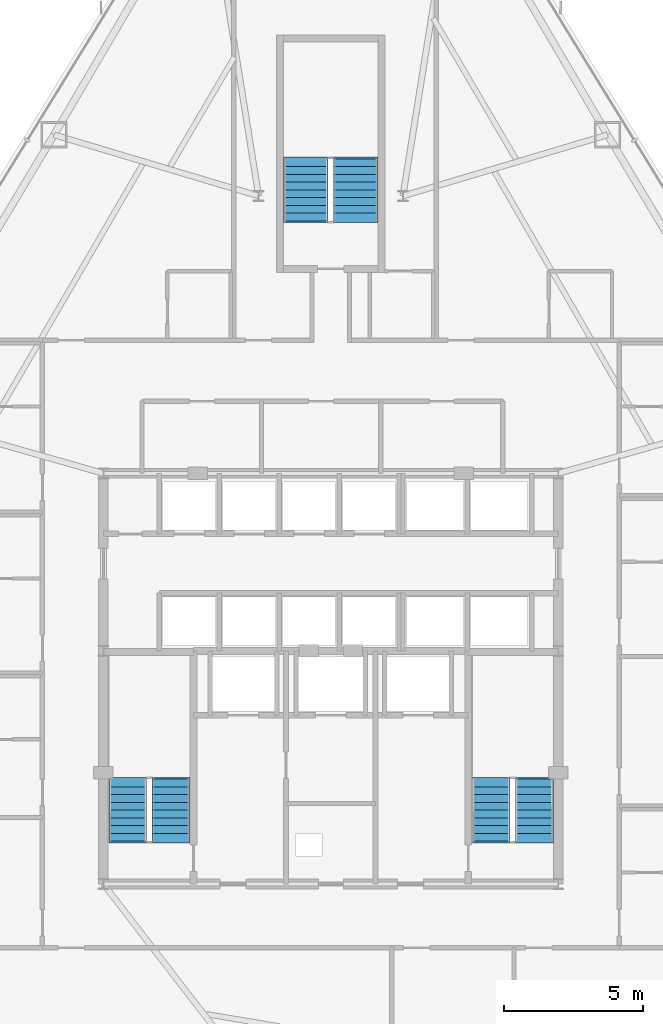
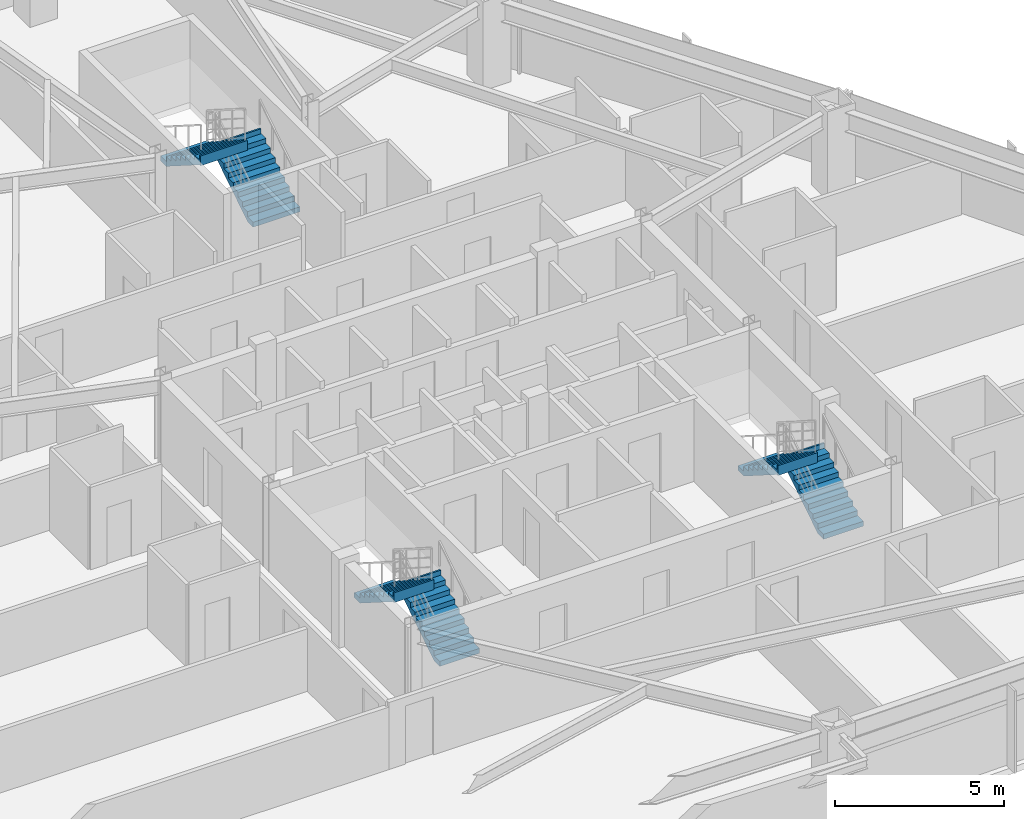
# One storey, part 12 of 14: 6 stair flights, 3 elements without a shape of their own.
"""IFC4 building model written with IfcOpenShell, lengths in metres."""

import ifcopenshell
import ifcopenshell.guid

model = None  # the IFC model being written
_history = None  # IfcOwnerHistory: only IFC2X3 demands one
_inside = {}  # id of a spatial element -> (the spatial element, [elements in it])
_under = {}  # id of a project, library or spatial element -> (it, [spatial elements below it])
_declared = {}  # id of a project -> (the project, [libraries it declares])
_typed = {}  # id of a type object -> (the type object, [elements of that type])
_made_of = {}  # id of a material, layer set ... -> (it, [elements and type objects made of it])


def new_model(schema):
    """Start an empty IFC model of exactly this schema.

    Asked for "IFC4X3", IfcOpenShell would pick the latest addendum, in which some entities
    have other attributes; the version numbers below select the first issue.
    IFC2X3 requires an IfcOwnerHistory on every rooted entity: one is made here for all.
    """
    global model, _history
    if schema == "IFC4X3":
        model = ifcopenshell.file(schema_version=(4, 3, 0, 0))
    else:
        model = ifcopenshell.file(schema=schema)
    _inside.clear()
    _under.clear()
    _declared.clear()
    _typed.clear()
    _made_of.clear()
    _history = None
    if model.schema == "IFC2X3":
        org = make("IfcOrganization", Name="unknown")
        user = make(
            "IfcPersonAndOrganization",
            ThePerson=make("IfcPerson", FamilyName="unknown"),
            TheOrganization=org,
        )
        app = make(
            "IfcApplication",
            ApplicationDeveloper=org,
            Version="unknown",
            ApplicationFullName="unknown",
            ApplicationIdentifier="unknown",
        )
        _history = make(
            "IfcOwnerHistory",
            OwningUser=user,
            OwningApplication=app,
            ChangeAction="ADDED",
            CreationDate=0,
        )
    return model


def make(cls, **values):
    """One entity of the class cls with the attributes given. An attribute that is None is left unset."""
    return model.create_entity(
        cls, **{name: value for name, value in values.items() if value is not None}
    )


def rooted(cls, **values):
    """An entity with a GlobalId (a new one), such as an element, a storey or a relation."""
    return make(cls, GlobalId=ifcopenshell.guid.new(), OwnerHistory=_history, **values)


def si_unit(unit_type, name, prefix=None):
    """IfcSIUnit, for example si_unit("LENGTHUNIT", "METRE", prefix="MILLI")."""
    return make("IfcSIUnit", UnitType=unit_type, Prefix=prefix, Name=name)


def assignment(units):
    """IfcUnitAssignment: the units of a project."""
    return None if units is None else make("IfcUnitAssignment", Units=units)


def point(xyz):
    """IfcCartesianPoint."""
    return None if xyz is None else make("IfcCartesianPoint", Coordinates=xyz)


def direction(xyz):
    """IfcDirection."""
    return None if xyz is None else make("IfcDirection", DirectionRatios=xyz)


def frame(location, z_axis=None, x_axis=None):
    """IfcAxis2Placement3D, a coordinate frame: its origin and axes. An axis left out is left unset."""
    return make(
        "IfcAxis2Placement3D",
        Location=point(location),
        Axis=direction(z_axis),
        RefDirection=direction(x_axis),
    )


def origin():
    """The frame at (0, 0, 0) with its axes left unset."""
    return frame((0.0, 0.0, 0.0))


def place(relative_to, where):
    """IfcLocalPlacement: puts the frame where relative to a parent placement (None: the world)."""
    return make(
        "IfcLocalPlacement", PlacementRelTo=relative_to, RelativePlacement=where
    )


def context(
    kind, dimensions, precision=None, world=None, true_north=None, identifier=None
):
    """IfcGeometricRepresentationContext, for example the 3D "Model" context."""
    return make(
        "IfcGeometricRepresentationContext",
        ContextIdentifier=identifier,
        ContextType=kind,
        CoordinateSpaceDimension=dimensions,
        Precision=precision,
        WorldCoordinateSystem=world,
        TrueNorth=true_north,
    )


def subcontext(parent, identifier, kind, view, scale=None):
    """IfcGeometricRepresentationSubContext, for example "Body" below "Model"."""
    return make(
        "IfcGeometricRepresentationSubContext",
        ContextIdentifier=identifier,
        ContextType=kind,
        ParentContext=parent,
        TargetScale=scale,
        TargetView=view,
    )


def project(units=None, contexts=None):
    """IfcProject with its units and contexts."""
    return rooted(
        "IfcProject",
        Name="project",
        RepresentationContexts=contexts,
        UnitsInContext=assignment(units),
    )


def spatial(cls, under=None, at=None, **own):
    """A site, building, storey or space (cls), placed at a placement, below another one or the project."""
    s = rooted(cls, ObjectPlacement=at, **own)
    if under is not None:
        _under.setdefault(under.id(), (under, []))[1].append(s)
    return s


def polyline(points):
    """IfcPolyline through the points."""
    return make("IfcPolyline", Points=[point(p) for p in points])


def outline(outer, holes=None, kind="AREA"):
    """IfcArbitraryClosedProfileDef: a profile drawn as a closed curve; with holes, ...WithVoids."""
    if holes is None:
        return make("IfcArbitraryClosedProfileDef", ProfileType=kind, OuterCurve=outer)
    return make(
        "IfcArbitraryProfileDefWithVoids",
        ProfileType=kind,
        OuterCurve=outer,
        InnerCurves=holes,
    )


def extrude(swept, where, along, depth):
    """IfcExtrudedAreaSolid: the profile swept, set in the frame where, extruded along a direction by depth."""
    return make(
        "IfcExtrudedAreaSolid",
        SweptArea=swept,
        Position=where,
        ExtrudedDirection=direction(along),
        Depth=depth,
    )


def shape(context_of_items, identifier, shape_type, items):
    """IfcShapeRepresentation: the items that make up one representation, for example the "Body"."""
    return make(
        "IfcShapeRepresentation",
        ContextOfItems=context_of_items,
        RepresentationIdentifier=identifier,
        RepresentationType=shape_type,
        Items=items,
    )


def material(Name=None, Category=None):
    """IfcMaterial."""
    return make("IfcMaterial", Name=Name, Category=Category)


def made_of(thing, what):
    """Note that an element or type object is made of a material, layer set ...; save() writes the relation."""
    if what is not None:
        _made_of.setdefault(what.id(), (what, []))[1].append(thing)
    return thing


def type_object(cls, material=None, **own):
    """A type object (cls), such as IfcWallType, which elements share."""
    return made_of(rooted(cls, **own), material)


def element(
    cls,
    number,
    at=None,
    inside=None,
    cuts=None,
    type_object=None,
    material=None,
    context=None,
    identifier="Body",
    shape_type=None,
    held_by="IfcProductDefinitionShape",
    body=None,
    shapes=None,
    **own,
):
    """One element of the class cls, such as IfcWall. Its Tag is "e" and its number.

    at: its placement. inside: the storey or other place that contains it. cuts: it is an
    opening in that element (IfcRelVoidsElement). A single representation is given by context,
    identifier, shape_type and body (its items); several are given by shapes. held_by: the class
    of the entity that holds the representations. save() writes the other relations.
    """
    e = rooted(cls, Tag="e%d" % number, ObjectPlacement=at, **own)
    if body is not None:
        shapes = [shape(context, identifier, shape_type, body)]
    if shapes is not None:
        e.Representation = make(held_by, Representations=shapes)
    if inside is not None:
        _inside.setdefault(inside.id(), (inside, []))[1].append(e)
    if cuts is not None:
        rooted(
            "IfcRelVoidsElement", RelatingBuildingElement=cuts, RelatedOpeningElement=e
        )
    if type_object is not None:
        _typed.setdefault(type_object.id(), (type_object, []))[1].append(e)
    return made_of(e, material)


def aggregate(whole, parts):
    """IfcRelAggregates: a whole, such as a stair, and the parts it consists of."""
    return rooted("IfcRelAggregates", RelatingObject=whole, RelatedObjects=parts)


def save(model, path):
    """Write the relations noted so far, then the file.

    IfcRelAggregates (storeys below a building ...), IfcRelContainedInSpatialStructure (elements
    in a storey), IfcRelDefinesByType, IfcRelAssociatesMaterial and IfcRelDeclares: one each for
    every whole, place, type object, material and project.
    """
    for whole, parts in _under.values():
        aggregate(whole, parts)
    for where, things in _inside.values():
        rooted(
            "IfcRelContainedInSpatialStructure",
            RelatedElements=things,
            RelatingStructure=where,
        )
    for kind, things in _typed.values():
        rooted("IfcRelDefinesByType", RelatedObjects=things, RelatingType=kind)
    for what, things in _made_of.values():
        rooted("IfcRelAssociatesMaterial", RelatedObjects=things, RelatingMaterial=what)
    for by, libraries in _declared.values():
        rooted("IfcRelDeclares", RelatingContext=by, RelatedDefinitions=libraries)
    model.write(path)


model = new_model("IFC4")

# Units and contexts
model_context = context("Model", 3, precision=1e-05, world=origin(), true_north=direction((0.0, 1.0)))
body_context = subcontext(model_context, "Body", "Model", "MODEL_VIEW")
ifc_project = project(units=[si_unit("LENGTHUNIT", "METRE"), si_unit("AREAUNIT", "SQUARE_METRE"), si_unit("VOLUMEUNIT", "CUBIC_METRE"), si_unit("PLANEANGLEUNIT", "RADIAN"), si_unit("MASSUNIT", "GRAM", prefix="KILO")], contexts=[model_context])

# Site, building, storey
site_placement = place(None, origin())
site = spatial("IfcSite", under=ifc_project, at=site_placement, CompositionType="ELEMENT")
building_placement = place(site_placement, origin())
building = spatial("IfcBuilding", under=site, at=building_placement, Name="Varakhsha Concourse Tower", CompositionType="ELEMENT")
storey_placement = place(building_placement, frame((0.0, 0.0, 105.39990234375)))
storey = spatial("IfcBuildingStorey", under=building, at=storey_placement, Name="L30", CompositionType="ELEMENT", Elevation=105.39990234375)

# Stair, stair flights
ifc_material = material(Name="Concrete fc 45 MPa", Category="concrete")
stair_type_1 = type_object("IfcStairType", Name="ST-DOGLEG-1360", PredefinedType="HALF_TURN_STAIR", material=ifc_material)
stair_1_placement = place(storey_placement, origin())
stair_1 = element("IfcStair", 1, at=stair_1_placement, inside=storey, type_object=stair_type_1, Name="L30 Protected Exit Stair ST1", PredefinedType="HALF_TURN_STAIR")
stair_flight_type_1 = type_object("IfcStairFlightType", Name="STF-1360-R1778", PredefinedType="STRAIGHT", material=ifc_material)
stair_flight_1_placement = place(storey_placement, frame((34.239990234375, 17.93994140625, 0.0), z_axis=(0.0, 0.0, 1.0), x_axis=(0.0, 1.0, 0.0)))
stair_flight_1 = element("IfcStairFlight", 2, at=stair_flight_1_placement, type_object=stair_flight_type_1, Name="ST1 flight 1", NumberOfRisers=9, NumberOfTreads=8, PredefinedType="STRAIGHT", RiserHeight=0.177777778, TreadLength=0.28, context=body_context, shape_type="SweptSolid", body=[
    extrude(outline(polyline([(-0.06005859375, 0.0), (-0.06005859375, 0.177734375), (0.0, 0.177734375), (0.280029296875, 0.177734375), (0.280029296875, 0.35546875), (0.56005859375, 0.35546875), (0.56005859375, 0.533447265625), (0.840087890625, 0.533447265625), (0.840087890625, 0.711181640625), (1.1201171875, 0.711181640625), (1.1201171875, 0.888916015625), (1.39990234375, 0.888916015625), (1.39990234375, 1.066650390625), (1.679931640625, 1.066650390625), (1.679931640625, 1.244384765625), (1.9599609375, 1.244384765625), (1.9599609375, 1.422119140625), (2.239990234375, 1.422119140625), (2.239990234375, 1.60009765625), (2.300048828125, 1.60009765625), (2.300048828125, 1.24462890625), (2.239990234375, 1.24462890625), (0.27978515625, 0.0), (-0.06005859375, 0.0)])), frame((0.0, 0.68017578125, 0.0), z_axis=(0.0, -1.0, 0.0), x_axis=(1.0, 0.0, 0.0)), (0.0, 0.0, 1.0), 1.360107421875),
])
stair_flight_2_placement = place(storey_placement, frame((32.679931640625, 20.179931640625, 1.60009765625), z_axis=(0.0, 0.0, 1.0), x_axis=(0.0, -1.0, 0.0)))
stair_flight_2 = element("IfcStairFlight", 3, at=stair_flight_2_placement, type_object=stair_flight_type_1, Name="ST1 flight 2", NumberOfRisers=9, NumberOfTreads=8, PredefinedType="STRAIGHT", RiserHeight=0.177777778, TreadLength=0.28, context=body_context, shape_type="SweptSolid", body=[
    extrude(outline(polyline([(-0.06005859375, 0.0), (-0.06005859375, 0.177734375), (0.0, 0.177734375), (0.280029296875, 0.177734375), (0.280029296875, 0.35546875), (0.56005859375, 0.35546875), (0.56005859375, 0.533447265625), (0.840087890625, 0.533447265625), (0.840087890625, 0.711181640625), (1.1201171875, 0.711181640625), (1.1201171875, 0.888916015625), (1.39990234375, 0.888916015625), (1.39990234375, 1.066650390625), (1.679931640625, 1.066650390625), (1.679931640625, 1.244384765625), (1.9599609375, 1.244384765625), (1.9599609375, 1.422119140625), (2.239990234375, 1.422119140625), (2.239990234375, 1.60009765625), (2.300048828125, 1.60009765625), (2.300048828125, 1.24462890625), (2.239990234375, 1.24462890625), (0.27978515625, 0.0), (-0.06005859375, 0.0)])), frame((0.0, 0.68017578125, 0.0), z_axis=(0.0, -1.0, 0.0), x_axis=(1.0, 0.0, 0.0)), (0.0, 0.0, 1.0), 1.360107421875),
])
aggregate(stair_1, [stair_flight_1, stair_flight_2])

stair_2_placement = place(storey_placement, origin())
stair_2 = element("IfcStair", 4, at=stair_2_placement, inside=storey, type_object=stair_type_1, Name="L30 Protected Exit Stair ST2", PredefinedType="HALF_TURN_STAIR")
stair_flight_3_placement = place(storey_placement, frame((47.340087890625, 17.93994140625, 0.0), z_axis=(0.0, 0.0, 1.0), x_axis=(0.0, 1.0, 0.0)))
stair_flight_3 = element("IfcStairFlight", 5, at=stair_flight_3_placement, type_object=stair_flight_type_1, Name="ST2 flight 1", NumberOfRisers=9, NumberOfTreads=8, PredefinedType="STRAIGHT", RiserHeight=0.177777778, TreadLength=0.28, context=body_context, shape_type="SweptSolid", body=[
    extrude(outline(polyline([(-0.06005859375, 0.0), (-0.06005859375, 0.177734375), (0.0, 0.177734375), (0.280029296875, 0.177734375), (0.280029296875, 0.35546875), (0.56005859375, 0.35546875), (0.56005859375, 0.533447265625), (0.840087890625, 0.533447265625), (0.840087890625, 0.711181640625), (1.1201171875, 0.711181640625), (1.1201171875, 0.888916015625), (1.39990234375, 0.888916015625), (1.39990234375, 1.066650390625), (1.679931640625, 1.066650390625), (1.679931640625, 1.244384765625), (1.9599609375, 1.244384765625), (1.9599609375, 1.422119140625), (2.239990234375, 1.422119140625), (2.239990234375, 1.60009765625), (2.300048828125, 1.60009765625), (2.300048828125, 1.24462890625), (2.239990234375, 1.24462890625), (0.27978515625, 0.0), (-0.06005859375, 0.0)])), frame((0.0, 0.68017578125, 0.0), z_axis=(0.0, -1.0, 0.0), x_axis=(1.0, 0.0, 0.0)), (0.0, 0.0, 1.0), 1.360107421875),
])
stair_flight_4_placement = place(storey_placement, frame((45.780029296875, 20.179931640625, 1.60009765625), z_axis=(0.0, 0.0, 1.0), x_axis=(0.0, -1.0, 0.0)))
stair_flight_4 = element("IfcStairFlight", 6, at=stair_flight_4_placement, type_object=stair_flight_type_1, Name="ST2 flight 2", NumberOfRisers=9, NumberOfTreads=8, PredefinedType="STRAIGHT", RiserHeight=0.177777778, TreadLength=0.28, context=body_context, shape_type="SweptSolid", body=[
    extrude(outline(polyline([(-0.06005859375, 0.0), (-0.06005859375, 0.177734375), (0.0, 0.177734375), (0.280029296875, 0.177734375), (0.280029296875, 0.35546875), (0.56005859375, 0.35546875), (0.56005859375, 0.533447265625), (0.840087890625, 0.533447265625), (0.840087890625, 0.711181640625), (1.1201171875, 0.711181640625), (1.1201171875, 0.888916015625), (1.39990234375, 0.888916015625), (1.39990234375, 1.066650390625), (1.679931640625, 1.066650390625), (1.679931640625, 1.244384765625), (1.9599609375, 1.244384765625), (1.9599609375, 1.422119140625), (2.239990234375, 1.422119140625), (2.239990234375, 1.60009765625), (2.300048828125, 1.60009765625), (2.300048828125, 1.24462890625), (2.239990234375, 1.24462890625), (0.27978515625, 0.0), (-0.06005859375, 0.0)])), frame((0.0, 0.68017578125, 0.0), z_axis=(0.0, -1.0, 0.0), x_axis=(1.0, 0.0, 0.0)), (0.0, 0.0, 1.0), 1.360107421875),
])
aggregate(stair_2, [stair_flight_3, stair_flight_4])

stair_type_2 = type_object("IfcStairType", Name="ST-DOGLEG-1600", PredefinedType="HALF_TURN_STAIR", material=ifc_material)
stair_3_placement = place(storey_placement, origin())
stair_3 = element("IfcStair", 7, at=stair_3_placement, inside=storey, type_object=stair_type_2, Name="L30 Protected Exit Stair ST5", PredefinedType="HALF_TURN_STAIR")
stair_flight_type_2 = type_object("IfcStairFlightType", Name="STF-1600-R1778", PredefinedType="STRAIGHT", material=ifc_material)
stair_flight_5_placement = place(storey_placement, frame((40.89990234375, 40.300048828125, 0.0), z_axis=(0.0, 0.0, 1.0), x_axis=(0.0, 1.0, 0.0)))
stair_flight_5 = element("IfcStairFlight", 8, at=stair_flight_5_placement, type_object=stair_flight_type_2, Name="ST5 flight 1", NumberOfRisers=9, NumberOfTreads=8, PredefinedType="STRAIGHT", RiserHeight=0.177777778, TreadLength=0.28, context=body_context, shape_type="SweptSolid", body=[
    extrude(outline(polyline([(-0.06005859375, 0.0), (-0.06005859375, 0.177734375), (0.0, 0.177734375), (0.280029296875, 0.177734375), (0.280029296875, 0.35546875), (0.56005859375, 0.35546875), (0.56005859375, 0.533447265625), (0.840087890625, 0.533447265625), (0.840087890625, 0.711181640625), (1.1201171875, 0.711181640625), (1.1201171875, 0.888916015625), (1.39990234375, 0.888916015625), (1.39990234375, 1.066650390625), (1.679931640625, 1.066650390625), (1.679931640625, 1.244384765625), (1.9599609375, 1.244384765625), (1.9599609375, 1.422119140625), (2.239990234375, 1.422119140625), (2.239990234375, 1.60009765625), (2.300048828125, 1.60009765625), (2.300048828125, 1.24462890625), (2.239990234375, 1.24462890625), (0.27978515625, 0.0), (-0.06005859375, 0.0)])), frame((0.0, 0.800048828125, 0.0), z_axis=(0.0, -1.0, 0.0), x_axis=(1.0, 0.0, 0.0)), (0.0, 0.0, 1.0), 1.60009765625),
])
stair_flight_6_placement = place(storey_placement, frame((39.10009765625, 42.5400390625, 1.60009765625), z_axis=(0.0, 0.0, 1.0), x_axis=(0.0, -1.0, 0.0)))
stair_flight_6 = element("IfcStairFlight", 9, at=stair_flight_6_placement, type_object=stair_flight_type_2, Name="ST5 flight 2", NumberOfRisers=9, NumberOfTreads=8, PredefinedType="STRAIGHT", RiserHeight=0.177777778, TreadLength=0.28, context=body_context, shape_type="SweptSolid", body=[
    extrude(outline(polyline([(-0.06005859375, 0.0), (-0.06005859375, 0.177734375), (0.0, 0.177734375), (0.280029296875, 0.177734375), (0.280029296875, 0.35546875), (0.56005859375, 0.35546875), (0.56005859375, 0.533447265625), (0.840087890625, 0.533447265625), (0.840087890625, 0.711181640625), (1.1201171875, 0.711181640625), (1.1201171875, 0.888916015625), (1.39990234375, 0.888916015625), (1.39990234375, 1.066650390625), (1.679931640625, 1.066650390625), (1.679931640625, 1.244384765625), (1.9599609375, 1.244384765625), (1.9599609375, 1.422119140625), (2.239990234375, 1.422119140625), (2.239990234375, 1.60009765625), (2.300048828125, 1.60009765625), (2.300048828125, 1.24462890625), (2.239990234375, 1.24462890625), (0.27978515625, 0.0), (-0.06005859375, 0.0)])), frame((0.0, 0.800048828125, 0.0), z_axis=(0.0, -1.0, 0.0), x_axis=(1.0, 0.0, 0.0)), (0.0, 0.0, 1.0), 1.60009765625),
])
aggregate(stair_3, [stair_flight_5, stair_flight_6])

save(model, "model.ifc")
